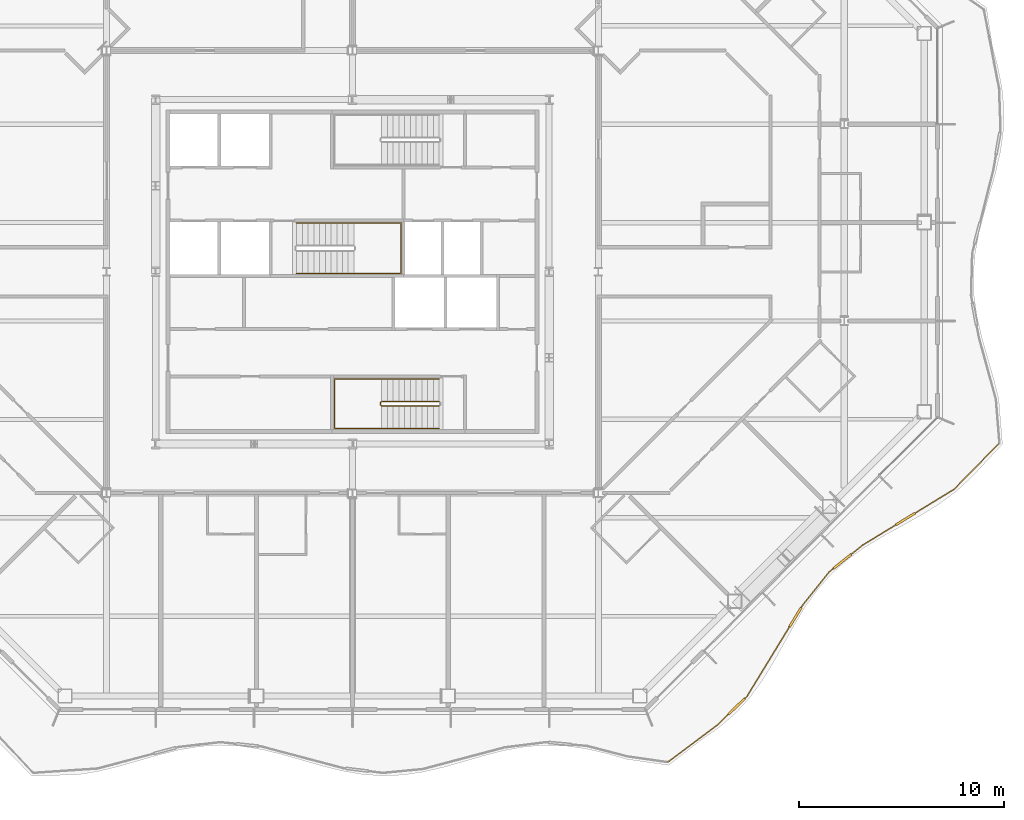
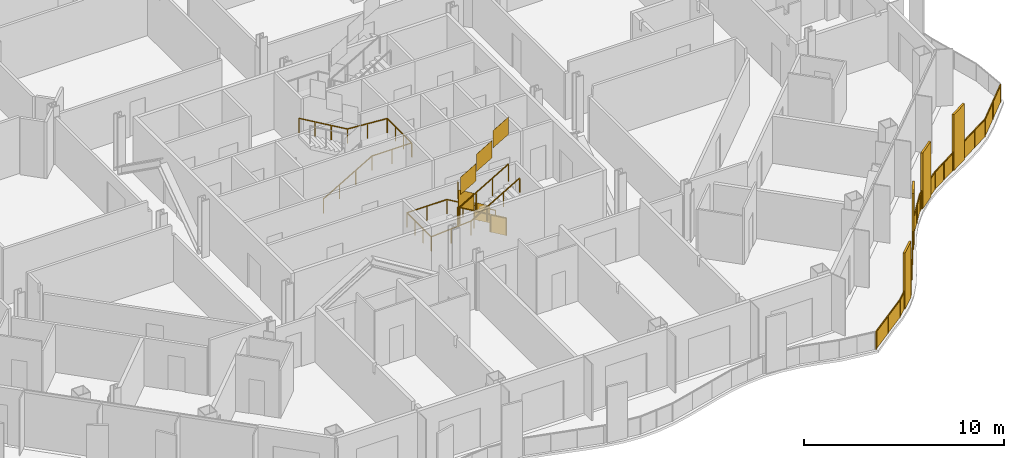
# One storey, part 18 of 21: 4 railings.
"""IFC4 building model written with IfcOpenShell, lengths in metres."""

from ifc_helpers import new_model, si_unit, direction, frame, origin, origin_2d, place, context, subcontext, project, spatial, polyline, rectangle, outline, extrude, material, type_object, element, save


model = new_model("IFC4")

# Units and contexts
model_context = context("Model", 3, precision=1e-05, world=origin(), true_north=direction((0.0, 1.0)))
body_context = subcontext(model_context, "Body", "Model", "MODEL_VIEW")
ifc_project = project(units=[si_unit("LENGTHUNIT", "METRE"), si_unit("AREAUNIT", "SQUARE_METRE"), si_unit("VOLUMEUNIT", "CUBIC_METRE"), si_unit("PLANEANGLEUNIT", "RADIAN"), si_unit("MASSUNIT", "GRAM", prefix="KILO")], contexts=[model_context])

# Site, building, storey
site_placement = place(None, origin())
site = spatial("IfcSite", under=ifc_project, at=site_placement, CompositionType="ELEMENT")
building_placement = place(site_placement, origin())
building = spatial("IfcBuilding", under=site, at=building_placement, Name="Cairn Pilgrim Tower", CompositionType="ELEMENT")
storey_placement = place(building_placement, frame((0.0, 0.0, 139.800048828125)))
storey = spatial("IfcBuildingStorey", under=building, at=storey_placement, Name="L34", CompositionType="ELEMENT", Elevation=139.800048828125)

# Railings
ifc_material_1 = material(Name="Bronze anodised aluminium rail, posts and fin screens with laminated glass infill", Category="aluminium")
railing_type_1 = type_object("IfcRailingType", Name="BALCONY GUARD WITH FIN SCREENS", PredefinedType="GUARDRAIL", material=ifc_material_1)
railing_1_placement = place(storey_placement, frame((22.587890625, -21.5244140625, 0.0)))
element("IfcRailing", 1, at=railing_1_placement, inside=storey, type_object=railing_type_1, Name="Balcony guard BGF-2 with fin screens", PredefinedType="GUARDRAIL", context=body_context, shape_type="SweptSolid", body=[
    extrude(rectangle(XDim=0.050048828125, YDim=0.050048828125, at=origin_2d()), frame((0.0, 0.0, 1.0751953125), z_axis=(0.800667870418, 0.599108472048, 0.0), x_axis=(-0.599108472048, 0.800667870418, 0.0)), (0.0, 0.0, 1.0), 3.0244140625),
    extrude(rectangle(XDim=1.10009765625, YDim=0.110107421875, at=origin_2d()), frame((3.361572265625, 2.7216796875, 0.0), z_axis=(0.0, 0.0, 1.0), x_axis=(0.718562940973, 0.695461932718, 0.0)), (0.0, 0.0, 1.0), 3.39990234375),
    extrude(rectangle(XDim=0.050048828125, YDim=0.050048828125, at=origin_2d()), frame((2.421630859375, 1.81201171875, 1.0751953125), z_axis=(0.718562940973, 0.695461932718, 0.0), x_axis=(-0.695461932718, 0.718562940973, 0.0)), (0.0, 0.0, 1.0), 0.758056640625),
    extrude(rectangle(XDim=0.050048828125, YDim=0.050048828125, at=origin_2d()), frame((3.7568359375, 3.104248046875, 1.0751953125), z_axis=(0.718562940973, 0.695461932718, 0.0), x_axis=(-0.695461932718, 0.718562940973, 0.0)), (0.0, 0.0, 1.0), 0.14990234375),
    extrude(rectangle(XDim=1.10009765625, YDim=0.110107421875, at=origin_2d()), frame((6.225341796875, 7.072265625, 0.0), z_axis=(0.0, 0.0, 1.0), x_axis=(0.521408450848, 0.853307229188, 0.0)), (0.0, 0.0, 1.0), 3.39990234375),
    extrude(rectangle(XDim=0.050048828125, YDim=0.050048828125, at=origin_2d()), frame((3.864501953125, 3.20849609375, 1.0751953125), z_axis=(0.521408450848, 0.853307229188, 0.0), x_axis=(-0.853307229188, 0.521408450848, 0.0)), (0.0, 0.0, 1.0), 3.977783203125),
    extrude(rectangle(XDim=0.050048828125, YDim=0.050048828125, at=origin_2d()), frame((6.51220703125, 7.54150390625, 1.0751953125), z_axis=(0.521408450848, 0.853307229188, 0.0), x_axis=(-0.853307229188, 0.521408450848, 0.0)), (0.0, 0.0, 1.0), 0.14990234375),
    extrude(rectangle(XDim=0.050048828125, YDim=0.050048828125, at=origin_2d()), frame((6.59033203125, 7.66943359375, 1.0751953125), z_axis=(0.624336311153, 0.781155663473, 0.0), x_axis=(-0.781155663473, 0.624336311153, 0.0)), (0.0, 0.0, 1.0), 2.0751953125),
    extrude(rectangle(XDim=1.10009765625, YDim=0.110107421875, at=origin_2d()), frame((8.52197265625, 9.798583984375, 0.0), z_axis=(0.0, 0.0, 1.0), x_axis=(0.781258883396, 0.624207142794, 0.0)), (0.0, 0.0, 1.0), 3.39990234375),
    extrude(rectangle(XDim=0.050048828125, YDim=0.050048828125, at=origin_2d()), frame((7.885986328125, 9.29052734375, 1.0751953125), z_axis=(0.781258883396, 0.624207142794, 0.0), x_axis=(-0.624207142794, 0.781258883396, 0.0)), (0.0, 0.0, 1.0), 0.263916015625),
    extrude(rectangle(XDim=0.050048828125, YDim=0.050048828125, at=origin_2d()), frame((8.95166015625, 10.141845703125, 1.0751953125), z_axis=(0.781258883396, 0.624207142794, 0.0), x_axis=(-0.624207142794, 0.781258883396, 0.0)), (0.0, 0.0, 1.0), 0.711181640625),
    extrude(rectangle(XDim=1.10009765625, YDim=0.110107421875, at=origin_2d()), frame((11.601806640625, 11.865966796875, 0.0), z_axis=(0.0, 0.0, 1.0), x_axis=(0.853278370774, 0.521455675939, 0.0)), (0.0, 0.0, 1.0), 3.39990234375),
    extrude(rectangle(XDim=0.050048828125, YDim=0.050048828125, at=origin_2d()), frame((9.50732421875, 10.5859375, 1.0751953125), z_axis=(0.853278370774, 0.521455675939, 0.0), x_axis=(-0.521455675939, 0.853278370774, 0.0)), (0.0, 0.0, 1.0), 1.904541015625),
    extrude(rectangle(XDim=0.050048828125, YDim=0.050048828125, at=origin_2d()), frame((12.071044921875, 12.15283203125, 1.0751953125), z_axis=(0.853278370774, 0.521455675939, 0.0), x_axis=(-0.521455675939, 0.853278370774, 0.0)), (0.0, 0.0, 1.0), 2.2236328125),
    extrude(rectangle(XDim=0.050048828125, YDim=0.050048828125, at=origin_2d()), frame((13.968505859375, 13.312255859375, 1.0751953125), z_axis=(0.699784755715, 0.71435376087, 0.0), x_axis=(-0.71435376087, 0.699784755715, 0.0)), (0.0, 0.0, 1.0), 3.10009765625),
    extrude(rectangle(XDim=0.050048828125, YDim=0.050048828125, at=origin_2d()), origin(), (0.0, 0.0, 1.0), 1.050048828125),
    extrude(rectangle(XDim=0.050048828125, YDim=0.050048828125, at=origin_2d()), frame((1.2109375, 0.906005859375, 0.0)), (0.0, 0.0, 1.0), 1.050048828125),
    extrude(rectangle(XDim=0.050048828125, YDim=0.050048828125, at=origin_2d()), frame((2.421630859375, 1.81201171875, 0.0)), (0.0, 0.0, 1.0), 1.050048828125),
    extrude(rectangle(XDim=0.050048828125, YDim=0.050048828125, at=origin_2d()), frame((2.948486328125, 2.32177734375, 0.0)), (0.0, 0.0, 1.0), 1.050048828125),
    extrude(rectangle(XDim=0.050048828125, YDim=0.050048828125, at=origin_2d()), frame((3.774658203125, 3.12158203125, 0.0)), (0.0, 0.0, 1.0), 1.050048828125),
    extrude(rectangle(XDim=0.050048828125, YDim=0.050048828125, at=origin_2d()), frame((3.864501953125, 3.20849609375, 0.0)), (0.0, 0.0, 1.0), 1.050048828125),
    extrude(rectangle(XDim=0.050048828125, YDim=0.050048828125, at=origin_2d()), frame((4.551513671875, 4.332763671875, 0.0)), (0.0, 0.0, 1.0), 1.050048828125),
    extrude(rectangle(XDim=0.050048828125, YDim=0.050048828125, at=origin_2d()), frame((5.238525390625, 5.457275390625, 0.0)), (0.0, 0.0, 1.0), 1.050048828125),
    extrude(rectangle(XDim=0.050048828125, YDim=0.050048828125, at=origin_2d()), frame((5.925537109375, 6.58154296875, 0.0)), (0.0, 0.0, 1.0), 1.050048828125),
    extrude(rectangle(XDim=0.050048828125, YDim=0.050048828125, at=origin_2d()), frame((6.525146484375, 7.562744140625, 0.0)), (0.0, 0.0, 1.0), 1.050048828125),
    extrude(rectangle(XDim=0.050048828125, YDim=0.050048828125, at=origin_2d()), frame((6.59033203125, 7.66943359375, 0.0)), (0.0, 0.0, 1.0), 1.050048828125),
    extrude(rectangle(XDim=0.050048828125, YDim=0.050048828125, at=origin_2d()), frame((7.23828125, 8.47998046875, 0.0)), (0.0, 0.0, 1.0), 1.050048828125),
    extrude(rectangle(XDim=0.050048828125, YDim=0.050048828125, at=origin_2d()), frame((7.885986328125, 9.29052734375, 0.0)), (0.0, 0.0, 1.0), 1.050048828125),
    extrude(rectangle(XDim=0.050048828125, YDim=0.050048828125, at=origin_2d()), frame((8.07275390625, 9.439697265625, 0.0)), (0.0, 0.0, 1.0), 1.050048828125),
    extrude(rectangle(XDim=0.050048828125, YDim=0.050048828125, at=origin_2d()), frame((8.97119140625, 10.157470703125, 0.0)), (0.0, 0.0, 1.0), 1.050048828125),
    extrude(rectangle(XDim=0.050048828125, YDim=0.050048828125, at=origin_2d()), frame((9.50732421875, 10.5859375, 0.0)), (0.0, 0.0, 1.0), 1.050048828125),
    extrude(rectangle(XDim=0.050048828125, YDim=0.050048828125, at=origin_2d()), frame((10.309326171875, 11.075927734375, 0.0)), (0.0, 0.0, 1.0), 1.050048828125),
    extrude(rectangle(XDim=0.050048828125, YDim=0.050048828125, at=origin_2d()), frame((11.111083984375, 11.566162109375, 0.0)), (0.0, 0.0, 1.0), 1.050048828125),
    extrude(rectangle(XDim=0.050048828125, YDim=0.050048828125, at=origin_2d()), frame((12.092529296875, 12.165771484375, 0.0)), (0.0, 0.0, 1.0), 1.050048828125),
    extrude(rectangle(XDim=0.050048828125, YDim=0.050048828125, at=origin_2d()), frame((13.030517578125, 12.739013671875, 0.0)), (0.0, 0.0, 1.0), 1.050048828125),
    extrude(rectangle(XDim=0.050048828125, YDim=0.050048828125, at=origin_2d()), frame((13.968505859375, 13.312255859375, 0.0)), (0.0, 0.0, 1.0), 1.050048828125),
    extrude(rectangle(XDim=0.050048828125, YDim=0.050048828125, at=origin_2d()), frame((15.05322265625, 14.41943359375, 0.0)), (0.0, 0.0, 1.0), 1.050048828125),
    extrude(rectangle(XDim=0.050048828125, YDim=0.050048828125, at=origin_2d()), frame((16.137939453125, 15.52685546875, 0.0)), (0.0, 0.0, 1.0), 1.050048828125),
    extrude(outline(polyline([(0.02490234375, 0.0), (1.4873046875, 0.0), (1.4873046875, 1.050048828125), (0.02490234375, 1.050048828125), (0.02490234375, 0.0)])), frame((-0.003662109375, 0.0048828125, 0.0), z_axis=(0.599108472048, -0.800667870418, 0.0), x_axis=(0.800667870418, 0.599108472048, 0.0)), (0.0, 0.0, 1.0), 0.011962890625),
    extrude(outline(polyline([(0.02490234375, 0.0), (1.4873046875, 0.0), (1.4873046875, 1.050048828125), (0.02490234375, 1.050048828125), (0.02490234375, 0.0)])), frame((1.207275390625, 0.910888671875, 0.0), z_axis=(0.599108472048, -0.800667870418, 0.0), x_axis=(0.800667870418, 0.599108472048, 0.0)), (0.0, 0.0, 1.0), 0.011962890625),
    extrude(outline(polyline([(0.02490234375, 0.0), (0.7080078125, 0.0), (0.7080078125, 1.050048828125), (0.02490234375, 1.050048828125), (0.02490234375, 0.0)])), frame((2.41748046875, 1.81640625, 0.0), z_axis=(0.695461932718, -0.718562940973, 0.0), x_axis=(0.718562940973, 0.695461932718, 0.0)), (0.0, 0.0, 1.0), 0.011962890625),
    extrude(outline(polyline([(0.02490234375, 0.0), (0.099853515625, 0.0), (0.099853515625, 1.050048828125), (0.02490234375, 1.050048828125), (0.02490234375, 0.0)])), frame((3.7705078125, 3.1259765625, 0.0), z_axis=(0.695461932718, -0.718562940973, 0.0), x_axis=(0.718562940973, 0.695461932718, 0.0)), (0.0, 0.0, 1.0), 0.011962890625),
    extrude(outline(polyline([(0.02490234375, 0.0), (1.29248046875, 0.0), (1.29248046875, 1.050048828125), (0.02490234375, 1.050048828125), (0.02490234375, 0.0)])), frame((3.859375, 3.211669921875, 0.0), z_axis=(0.853307229188, -0.521408450848, 0.0), x_axis=(0.521408450848, 0.853307229188, 0.0)), (0.0, 0.0, 1.0), 0.011962890625),
    extrude(outline(polyline([(0.02490234375, 0.0), (1.29248046875, 0.0), (1.29248046875, 1.050048828125), (0.02490234375, 1.050048828125), (0.02490234375, 0.0)])), frame((4.54638671875, 4.3359375, 0.0), z_axis=(0.853307229188, -0.521408450848, 0.0), x_axis=(0.521408450848, 0.853307229188, 0.0)), (0.0, 0.0, 1.0), 0.011962890625),
    extrude(outline(polyline([(0.02490234375, 0.0), (1.29248046875, 0.0), (1.29248046875, 1.050048828125), (0.02490234375, 1.050048828125), (0.02490234375, 0.0)])), frame((5.2333984375, 5.460205078125, 0.0), z_axis=(0.853307229188, -0.521408450848, 0.0), x_axis=(0.521408450848, 0.853307229188, 0.0)), (0.0, 0.0, 1.0), 0.011962890625),
    extrude(outline(polyline([(0.02490234375, 0.0), (0.099853515625, 0.0), (0.099853515625, 1.050048828125), (0.02490234375, 1.050048828125), (0.02490234375, 0.0)])), frame((6.52001953125, 7.56591796875, 0.0), z_axis=(0.853307229188, -0.521408450848, 0.0), x_axis=(0.521408450848, 0.853307229188, 0.0)), (0.0, 0.0, 1.0), 0.011962890625),
    extrude(outline(polyline([(0.02490234375, 0.0), (1.0126953125, 0.0), (1.0126953125, 1.050048828125), (0.02490234375, 1.050048828125), (0.02490234375, 0.0)])), frame((6.585693359375, 7.673095703125, 0.0), z_axis=(0.781155663473, -0.624336311153, 0.0), x_axis=(0.624336311153, 0.781155663473, 0.0)), (0.0, 0.0, 1.0), 0.011962890625),
    extrude(outline(polyline([(0.02490234375, 0.0), (1.0126953125, 0.0), (1.0126953125, 1.050048828125), (0.02490234375, 1.050048828125), (0.02490234375, 0.0)])), frame((7.2333984375, 8.483642578125, 0.0), z_axis=(0.781155663473, -0.624336311153, 0.0), x_axis=(0.624336311153, 0.781155663473, 0.0)), (0.0, 0.0, 1.0), 0.011962890625),
    extrude(outline(polyline([(0.02490234375, 0.0), (0.2138671875, 0.0), (0.2138671875, 1.050048828125), (0.02490234375, 1.050048828125), (0.02490234375, 0.0)])), frame((7.88232421875, 9.295166015625, 0.0), z_axis=(0.624207142794, -0.781258883396, 0.0), x_axis=(0.781258883396, 0.624207142794, 0.0)), (0.0, 0.0, 1.0), 0.011962890625),
    extrude(outline(polyline([(0.02490234375, 0.0), (0.6611328125, 0.0), (0.6611328125, 1.050048828125), (0.02490234375, 1.050048828125), (0.02490234375, 0.0)])), frame((8.967529296875, 10.162353515625, 0.0), z_axis=(0.624207142794, -0.781258883396, 0.0), x_axis=(0.781258883396, 0.624207142794, 0.0)), (0.0, 0.0, 1.0), 0.011962890625),
    extrude(outline(polyline([(0.02490234375, 0.0), (0.914794921875, 0.0), (0.914794921875, 1.050048828125), (0.02490234375, 1.050048828125), (0.02490234375, 0.0)])), frame((9.504150390625, 10.591064453125, 0.0), z_axis=(0.521455675939, -0.853278370774, 0.0), x_axis=(0.853278370774, 0.521455675939, 0.0)), (0.0, 0.0, 1.0), 0.011962890625),
    extrude(outline(polyline([(0.02490234375, 0.0), (0.914794921875, 0.0), (0.914794921875, 1.050048828125), (0.02490234375, 1.050048828125), (0.02490234375, 0.0)])), frame((10.30615234375, 11.0810546875, 0.0), z_axis=(0.521455675939, -0.853278370774, 0.0), x_axis=(0.853278370774, 0.521455675939, 0.0)), (0.0, 0.0, 1.0), 0.011962890625),
    extrude(outline(polyline([(0.02490234375, 0.0), (1.07421875, 0.0), (1.07421875, 1.050048828125), (0.02490234375, 1.050048828125), (0.02490234375, 0.0)])), frame((12.08935546875, 12.1708984375, 0.0), z_axis=(0.521455675939, -0.853278370774, 0.0), x_axis=(0.853278370774, 0.521455675939, 0.0)), (0.0, 0.0, 1.0), 0.011962890625),
    extrude(outline(polyline([(0.02490234375, 0.0), (1.07421875, 0.0), (1.07421875, 1.050048828125), (0.02490234375, 1.050048828125), (0.02490234375, 0.0)])), frame((13.02734375, 12.744140625, 0.0), z_axis=(0.521455675939, -0.853278370774, 0.0), x_axis=(0.853278370774, 0.521455675939, 0.0)), (0.0, 0.0, 1.0), 0.011962890625),
    extrude(outline(polyline([(0.02490234375, 0.0), (1.525146484375, 0.0), (1.525146484375, 1.050048828125), (0.02490234375, 1.050048828125), (0.02490234375, 0.0)])), frame((13.964111328125, 13.31640625, 0.0), z_axis=(0.71435376087, -0.699784755715, 0.0), x_axis=(0.699784755715, 0.71435376087, 0.0)), (0.0, 0.0, 1.0), 0.011962890625),
    extrude(outline(polyline([(0.02490234375, 0.0), (1.525146484375, 0.0), (1.525146484375, 1.050048828125), (0.02490234375, 1.050048828125), (0.02490234375, 0.0)])), frame((15.048828125, 14.423828125, 0.0), z_axis=(0.71435376087, -0.699784755715, 0.0), x_axis=(0.699784755715, 0.71435376087, 0.0)), (0.0, 0.0, 1.0), 0.011962890625),
])
ifc_material_2 = material(Name="Painted steel", Category="steel")
railing_type_2 = type_object("IfcRailingType", Name="STAIR GUARD 1100", PredefinedType="GUARDRAIL", material=ifc_material_2)
railing_2_placement = place(storey_placement, frame((11.425048828125, -3.925048828125, 0.16357421875)))
element("IfcRailing", 2, at=railing_2_placement, inside=storey, type_object=railing_type_2, Name="L34 ST-A stair guard 1", PredefinedType="GUARDRAIL", context=body_context, shape_type="SweptSolid", body=[
    extrude(rectangle(XDim=0.048095703125, YDim=0.048095703125, at=origin_2d()), frame((0.0, 0.0, 1.076171875), z_axis=(-0.863360870873, 0.0, 0.504586966384), x_axis=(0.0, -1.0, 0.0)), (0.0, 0.0, 1.0), 3.2431640625),
    extrude(rectangle(XDim=0.048095703125, YDim=0.048095703125, at=origin_2d()), frame((-2.800048828125, 0.0, 2.71240234375), z_axis=(-0.707106781187, -0.707106781187, 0.0), x_axis=(0.707106781187, -0.707106781187, 0.0)), (0.0, 0.0, 1.0), 0.07080078125),
    extrude(rectangle(XDim=0.048095703125, YDim=0.048095703125, at=origin_2d()), frame((-2.85009765625, -0.050048828125, 2.71240234375), z_axis=(0.0, -1.0, 0.0), x_axis=(1.0, 0.0, 0.0)), (0.0, 0.0, 1.0), 0.125),
    extrude(rectangle(XDim=0.048095703125, YDim=0.048095703125, at=origin_2d()), frame((-2.85009765625, -0.175048828125, 2.71240234375), z_axis=(0.280916556609, -0.279546231943, 0.91811752648), x_axis=(0.705375805398, 0.708833529934, 0.0)), (0.0, 0.0, 1.0), 0.17822265625),
    extrude(rectangle(XDim=0.048095703125, YDim=0.048095703125, at=origin_2d()), frame((-2.800048828125, -0.224853515625, 2.8759765625), z_axis=(0.863393664356, 0.0, 0.504530851732), x_axis=(0.0, 1.0, 0.0)), (0.0, 0.0, 1.0), 3.2431640625),
    extrude(rectangle(XDim=0.0419921875, YDim=0.0419921875, at=origin_2d()), origin(), (0.0, 0.0, 1.0), 1.052001953125),
    extrude(rectangle(XDim=0.0419921875, YDim=0.0419921875, at=origin_2d()), frame((-0.933349609375, 0.0, 0.54541015625)), (0.0, 0.0, 1.0), 1.052001953125),
    extrude(rectangle(XDim=0.0419921875, YDim=0.0419921875, at=origin_2d()), frame((-1.86669921875, 0.0, 1.091064453125)), (0.0, 0.0, 1.0), 1.052001953125),
    extrude(rectangle(XDim=0.0419921875, YDim=0.0419921875, at=origin_2d()), frame((-2.800048828125, 0.0, 1.636474609375)), (0.0, 0.0, 1.0), 1.052001953125),
    extrude(rectangle(XDim=0.0419921875, YDim=0.0419921875, at=origin_2d()), frame((-2.85009765625, -0.050048828125, 1.636474609375)), (0.0, 0.0, 1.0), 1.052001953125),
    extrude(rectangle(XDim=0.0419921875, YDim=0.0419921875, at=origin_2d()), frame((-2.85009765625, -0.175048828125, 1.636474609375)), (0.0, 0.0, 1.0), 1.052001953125),
    extrude(rectangle(XDim=0.0419921875, YDim=0.0419921875, at=origin_2d()), frame((-2.800048828125, -0.224853515625, 1.800048828125)), (0.0, 0.0, 1.0), 1.052001953125),
    extrude(rectangle(XDim=0.0419921875, YDim=0.0419921875, at=origin_2d()), frame((-1.86669921875, -0.224853515625, 2.345458984375)), (0.0, 0.0, 1.0), 1.052001953125),
    extrude(rectangle(XDim=0.0419921875, YDim=0.0419921875, at=origin_2d()), frame((-0.933349609375, -0.224853515625, 2.890869140625)), (0.0, 0.0, 1.0), 1.052001953125),
    extrude(rectangle(XDim=0.0419921875, YDim=0.0419921875, at=origin_2d()), frame((0.0, -0.224853515625, 3.436279296875)), (0.0, 0.0, 1.0), 1.052001953125),
    extrude(outline(polyline([(0.02099609375, 0.01220703125), (0.912353515625, 0.533203125), (0.912353515625, 1.585205078125), (0.02099609375, 1.064208984375), (0.02099609375, 0.01220703125)])), frame((0.0, -0.005859375, 0.0), z_axis=(0.0, 1.0, 0.0), x_axis=(-1.0, 0.0, 0.0)), (0.0, 0.0, 1.0), 0.011962890625),
    extrude(outline(polyline([(0.02099609375, 0.557861328125), (0.912353515625, 1.07861328125), (0.912353515625, 2.130615234375), (0.02099609375, 1.60986328125), (0.02099609375, 0.557861328125)])), frame((-0.933349609375, -0.005859375, 0.54541015625), z_axis=(0.0, 1.0, 0.0), x_axis=(-1.0, 0.0, 0.0)), (0.0, 0.0, 1.0), 0.011962890625),
    extrude(outline(polyline([(0.02099609375, 1.103271484375), (0.912353515625, 1.624267578125), (0.912353515625, 2.67626953125), (0.02099609375, 2.1552734375), (0.02099609375, 1.103271484375)])), frame((-1.86669921875, -0.005859375, 1.091064453125), z_axis=(0.0, 1.0, 0.0), x_axis=(-1.0, 0.0, 0.0)), (0.0, 0.0, 1.0), 0.011962890625),
    extrude(outline(polyline([(0.02099609375, 1.636474609375), (0.10400390625, 1.636474609375), (0.10400390625, 2.6884765625), (0.02099609375, 2.6884765625), (0.02099609375, 1.636474609375)])), frame((-2.84423828125, -0.050048828125, 1.636474609375), z_axis=(-1.0, 0.0, 0.0), x_axis=(0.0, -1.0, 0.0)), (0.0, 0.0, 1.0), 0.011962890625),
    extrude(outline(polyline([(0.02099609375, 1.812255859375), (0.912353515625, 2.333251953125), (0.912353515625, 3.38525390625), (0.02099609375, 2.8642578125), (0.02099609375, 1.812255859375)])), frame((-2.800048828125, -0.21875, 1.800048828125), z_axis=(0.0, -1.0, 0.0), x_axis=(1.0, 0.0, 0.0)), (0.0, 0.0, 1.0), 0.011962890625),
    extrude(outline(polyline([(0.02099609375, 2.357666015625), (0.912353515625, 2.878662109375), (0.912353515625, 3.9306640625), (0.02099609375, 3.40966796875), (0.02099609375, 2.357666015625)])), frame((-1.86669921875, -0.21875, 2.345458984375), z_axis=(0.0, -1.0, 0.0), x_axis=(1.0, 0.0, 0.0)), (0.0, 0.0, 1.0), 0.011962890625),
    extrude(outline(polyline([(0.02099609375, 2.903076171875), (0.912353515625, 3.424072265625), (0.912353515625, 4.47607421875), (0.02099609375, 3.955078125), (0.02099609375, 2.903076171875)])), frame((-0.933349609375, -0.21875, 2.890869140625), z_axis=(0.0, -1.0, 0.0), x_axis=(1.0, 0.0, 0.0)), (0.0, 0.0, 1.0), 0.011962890625),
])
railing_type_3 = type_object("IfcRailingType", Name="STAIR HANDRAIL 900", PredefinedType="HANDRAIL", material=ifc_material_2)
railing_3_placement = place(storey_placement, frame((11.425048828125, -2.824951171875, 0.16357421875)))
element("IfcRailing", 3, at=railing_3_placement, inside=storey, type_object=railing_type_3, Name="L34 ST-A stair handrail 1", PredefinedType="HANDRAIL", context=body_context, shape_type="SweptSolid", body=[
    extrude(rectangle(XDim=0.048095703125, YDim=0.048095703125, at=origin_2d()), frame((0.0, 0.0, 0.8759765625), z_axis=(-0.863360870873, 0.0, 0.504586966384), x_axis=(0.0, -1.0, 0.0)), (0.0, 0.0, 1.0), 3.2431640625),
    extrude(rectangle(XDim=0.048095703125, YDim=0.048095703125, at=origin_2d()), frame((-2.800048828125, 0.0, 2.51220703125), z_axis=(-1.0, 0.0, 0.0), x_axis=(0.0, -1.0, 0.0)), (0.0, 0.0, 1.0), 2.300048828125),
    extrude(rectangle(XDim=0.048095703125, YDim=0.048095703125, at=origin_2d()), frame((-5.10009765625, 0.0, 2.51220703125), z_axis=(0.0, -1.0, 0.0), x_axis=(1.0, 0.0, 0.0)), (0.0, 0.0, 1.0), 2.425048828125),
    extrude(rectangle(XDim=0.048095703125, YDim=0.048095703125, at=origin_2d()), frame((-5.10009765625, -2.425048828125, 2.51220703125), z_axis=(0.997480687736, 0.0, 0.070938548008), x_axis=(0.0, 1.0, 0.0)), (0.0, 0.0, 1.0), 2.305908203125),
    extrude(rectangle(XDim=0.048095703125, YDim=0.048095703125, at=origin_2d()), frame((-2.800048828125, -2.425048828125, 2.67578125), z_axis=(0.863393664356, 0.0, 0.504530851732), x_axis=(0.0, 1.0, 0.0)), (0.0, 0.0, 1.0), 3.2431640625),
    extrude(rectangle(XDim=0.0419921875, YDim=0.0419921875, at=origin_2d()), origin(), (0.0, 0.0, 1.0), 0.851806640625),
    extrude(rectangle(XDim=0.0419921875, YDim=0.0419921875, at=origin_2d()), frame((-0.933349609375, 0.0, 0.54541015625)), (0.0, 0.0, 1.0), 0.851806640625),
    extrude(rectangle(XDim=0.0419921875, YDim=0.0419921875, at=origin_2d()), frame((-1.86669921875, 0.0, 1.091064453125)), (0.0, 0.0, 1.0), 0.851806640625),
    extrude(rectangle(XDim=0.0419921875, YDim=0.0419921875, at=origin_2d()), frame((-2.800048828125, 0.0, 1.636474609375)), (0.0, 0.0, 1.0), 0.851806640625),
    extrude(rectangle(XDim=0.0419921875, YDim=0.0419921875, at=origin_2d()), frame((-3.9501953125, 0.0, 1.636474609375)), (0.0, 0.0, 1.0), 0.851806640625),
    extrude(rectangle(XDim=0.0419921875, YDim=0.0419921875, at=origin_2d()), frame((-5.10009765625, 0.0, 1.636474609375)), (0.0, 0.0, 1.0), 0.851806640625),
    extrude(rectangle(XDim=0.0419921875, YDim=0.0419921875, at=origin_2d()), frame((-5.10009765625, -0.808349609375, 1.636474609375)), (0.0, 0.0, 1.0), 0.851806640625),
    extrude(rectangle(XDim=0.0419921875, YDim=0.0419921875, at=origin_2d()), frame((-5.10009765625, -1.61669921875, 1.636474609375)), (0.0, 0.0, 1.0), 0.851806640625),
    extrude(rectangle(XDim=0.0419921875, YDim=0.0419921875, at=origin_2d()), frame((-5.10009765625, -2.425048828125, 1.636474609375)), (0.0, 0.0, 1.0), 0.851806640625),
    extrude(rectangle(XDim=0.0419921875, YDim=0.0419921875, at=origin_2d()), frame((-3.9501953125, -2.425048828125, 1.71826171875)), (0.0, 0.0, 1.0), 0.851806640625),
    extrude(rectangle(XDim=0.0419921875, YDim=0.0419921875, at=origin_2d()), frame((-2.800048828125, -2.425048828125, 1.800048828125)), (0.0, 0.0, 1.0), 0.851806640625),
    extrude(rectangle(XDim=0.0419921875, YDim=0.0419921875, at=origin_2d()), frame((-1.86669921875, -2.425048828125, 2.345458984375)), (0.0, 0.0, 1.0), 0.851806640625),
    extrude(rectangle(XDim=0.0419921875, YDim=0.0419921875, at=origin_2d()), frame((-0.933349609375, -2.425048828125, 2.890869140625)), (0.0, 0.0, 1.0), 0.851806640625),
    extrude(rectangle(XDim=0.0419921875, YDim=0.0419921875, at=origin_2d()), frame((0.0, -2.425048828125, 3.436279296875)), (0.0, 0.0, 1.0), 0.851806640625),
])
railing_4_placement = place(storey_placement, frame((4.47509765625, 2.324951171875, 0.16357421875)))
element("IfcRailing", 4, at=railing_4_placement, inside=storey, type_object=railing_type_3, Name="L34 ST-B stair handrail 1", PredefinedType="HANDRAIL", context=body_context, shape_type="SweptSolid", body=[
    extrude(rectangle(XDim=0.048095703125, YDim=0.048095703125, at=origin_2d()), frame((0.0, 0.0, 0.8759765625), z_axis=(0.863341702679, 0.0, 0.504619762213), x_axis=(0.0, 1.0, 0.0)), (0.0, 0.0, 1.0), 3.242919921875),
    extrude(rectangle(XDim=0.048095703125, YDim=0.048095703125, at=origin_2d()), frame((2.7998046875, 0.0, 2.51220703125), z_axis=(1.0, 0.0, 0.0), x_axis=(0.0, 1.0, 0.0)), (0.0, 0.0, 1.0), 2.300048828125),
    extrude(rectangle(XDim=0.048095703125, YDim=0.048095703125, at=origin_2d()), frame((5.099853515625, 0.0, 2.51220703125), z_axis=(0.0, 1.0, 0.0), x_axis=(-1.0, 0.0, 0.0)), (0.0, 0.0, 1.0), 2.449951171875),
    extrude(rectangle(XDim=0.048095703125, YDim=0.048095703125, at=origin_2d()), frame((5.099853515625, 2.449951171875, 2.51220703125), z_axis=(-0.997480687736, 0.0, 0.070938548008), x_axis=(0.0, -1.0, 0.0)), (0.0, 0.0, 1.0), 2.305908203125),
    extrude(rectangle(XDim=0.048095703125, YDim=0.048095703125, at=origin_2d()), frame((2.7998046875, 2.449951171875, 2.67578125), z_axis=(-0.863374499697, 0.0, 0.504563646405), x_axis=(0.0, -1.0, 0.0)), (0.0, 0.0, 1.0), 3.242919921875),
    extrude(rectangle(XDim=0.0419921875, YDim=0.0419921875, at=origin_2d()), origin(), (0.0, 0.0, 1.0), 0.851806640625),
    extrude(rectangle(XDim=0.0419921875, YDim=0.0419921875, at=origin_2d()), frame((0.933349609375, 0.0, 0.54541015625)), (0.0, 0.0, 1.0), 0.851806640625),
    extrude(rectangle(XDim=0.0419921875, YDim=0.0419921875, at=origin_2d()), frame((1.866455078125, 0.0, 1.091064453125)), (0.0, 0.0, 1.0), 0.851806640625),
    extrude(rectangle(XDim=0.0419921875, YDim=0.0419921875, at=origin_2d()), frame((2.7998046875, 0.0, 1.636474609375)), (0.0, 0.0, 1.0), 0.851806640625),
    extrude(rectangle(XDim=0.0419921875, YDim=0.0419921875, at=origin_2d()), frame((3.94970703125, 0.0, 1.636474609375)), (0.0, 0.0, 1.0), 0.851806640625),
    extrude(rectangle(XDim=0.0419921875, YDim=0.0419921875, at=origin_2d()), frame((5.099853515625, 0.0, 1.636474609375)), (0.0, 0.0, 1.0), 0.851806640625),
    extrude(rectangle(XDim=0.0419921875, YDim=0.0419921875, at=origin_2d()), frame((5.099853515625, 0.816650390625, 1.636474609375)), (0.0, 0.0, 1.0), 0.851806640625),
    extrude(rectangle(XDim=0.0419921875, YDim=0.0419921875, at=origin_2d()), frame((5.099853515625, 1.63330078125, 1.636474609375)), (0.0, 0.0, 1.0), 0.851806640625),
    extrude(rectangle(XDim=0.0419921875, YDim=0.0419921875, at=origin_2d()), frame((5.099853515625, 2.449951171875, 1.636474609375)), (0.0, 0.0, 1.0), 0.851806640625),
    extrude(rectangle(XDim=0.0419921875, YDim=0.0419921875, at=origin_2d()), frame((3.94970703125, 2.449951171875, 1.71826171875)), (0.0, 0.0, 1.0), 0.851806640625),
    extrude(rectangle(XDim=0.0419921875, YDim=0.0419921875, at=origin_2d()), frame((2.7998046875, 2.449951171875, 1.800048828125)), (0.0, 0.0, 1.0), 0.851806640625),
    extrude(rectangle(XDim=0.0419921875, YDim=0.0419921875, at=origin_2d()), frame((1.866455078125, 2.449951171875, 2.345458984375)), (0.0, 0.0, 1.0), 0.851806640625),
    extrude(rectangle(XDim=0.0419921875, YDim=0.0419921875, at=origin_2d()), frame((0.933349609375, 2.449951171875, 2.890869140625)), (0.0, 0.0, 1.0), 0.851806640625),
    extrude(rectangle(XDim=0.0419921875, YDim=0.0419921875, at=origin_2d()), frame((0.0, 2.449951171875, 3.436279296875)), (0.0, 0.0, 1.0), 0.851806640625),
])

save(model, "model.ifc")
